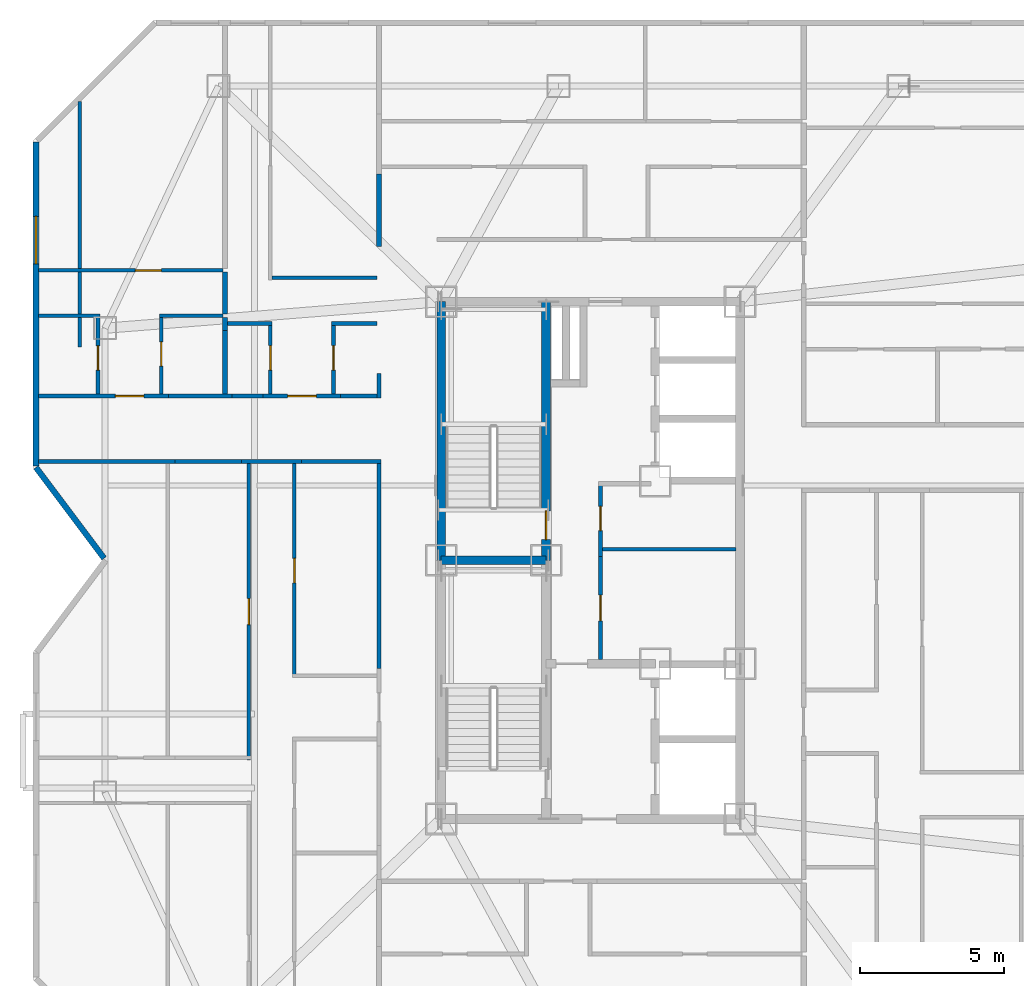
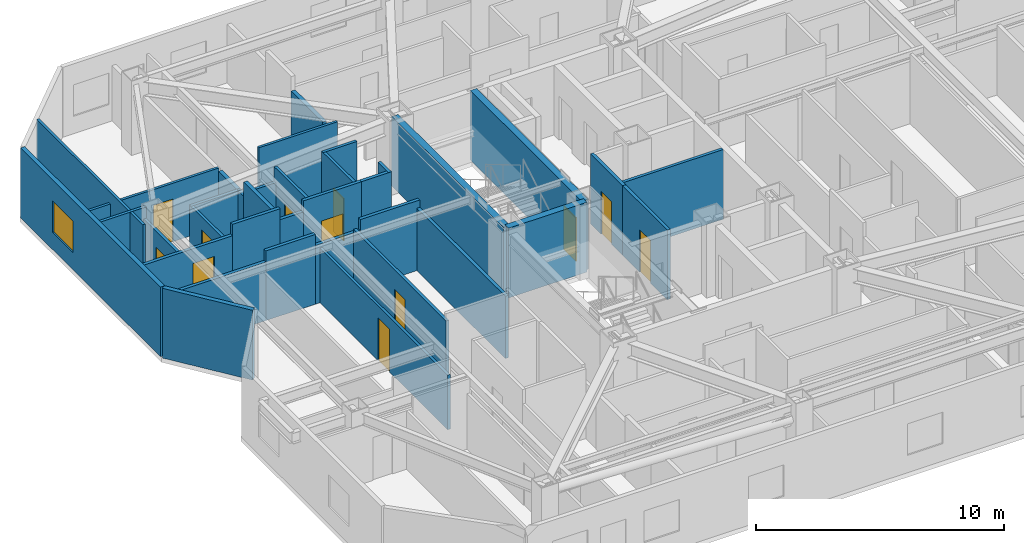
# One storey, part 7 of 12: 36 walls, 12 doors, 1 window, 13 openings.
"""IFC4 building model written with IfcOpenShell, lengths in metres."""

from ifc_helpers import new_model, si_unit, direction, frame, frame_2d, origin, place, context, subcontext, project, spatial, rectangle, extrude, material, layer, layer_set, type_object, element, fill, save


model = new_model("IFC4")

# Units and contexts
model_context = context("Model", 3, precision=1e-05, world=origin(), true_north=direction((0.0, 1.0)))
body_context = subcontext(model_context, "Body", "Model", "MODEL_VIEW")
ifc_project = project(units=[si_unit("LENGTHUNIT", "METRE"), si_unit("AREAUNIT", "SQUARE_METRE"), si_unit("VOLUMEUNIT", "CUBIC_METRE"), si_unit("PLANEANGLEUNIT", "RADIAN"), si_unit("MASSUNIT", "GRAM", prefix="KILO")], contexts=[model_context])

# Site, building, storey
site_placement = place(None, origin())
site = spatial("IfcSite", under=ifc_project, at=site_placement, CompositionType="ELEMENT")
building_placement = place(site_placement, origin())
building = spatial("IfcBuilding", under=site, at=building_placement, Name="Khamvora Tower", CompositionType="ELEMENT")
storey_placement = place(building_placement, frame((0.0, 0.0, 199.699951171875)))
storey = spatial("IfcBuildingStorey", under=building, at=storey_placement, Name="L51", CompositionType="ELEMENT", Elevation=199.699951171875)

# Wall
ifc_material_1 = material(Name="Concrete C50/60", Category="concrete")
ifc_layer_1 = layer(ifc_material_1, 0.300048828125)
ifc_layer_set_1 = layer_set([ifc_layer_1], Name="Concrete C50/60")
wall_type_1 = type_object("IfcWallType", Name="WAL-CORE-300", PredefinedType="SHEAR", material=ifc_layer_set_1)
wall_1_placement = place(storey_placement, frame((29.0, 28.0, 0.0), z_axis=(0.0, 0.0, 1.0), x_axis=(0.0, 1.0, 0.0)))
element("IfcWall", 1, at=wall_1_placement, inside=storey, type_object=wall_type_1, Name="L51 central core west north wall", PredefinedType="SHEAR", context=body_context, shape_type="SweptSolid", body=[
    extrude(rectangle(XDim=9.0, YDim=0.300048828125, at=frame_2d((4.5, 0.0))), origin(), (0.0, 0.0, 1.0), 3.429931640625),
])

# Wall, opening, door
wall_2_placement = place(storey_placement, frame((32.64990234375, 28.0, 0.0), z_axis=(0.0, 0.0, 1.0), x_axis=(0.0, 1.0, 0.0)))
wall_2 = element("IfcWall", 2, at=wall_2_placement, inside=storey, type_object=wall_type_1, Name="L51 central core stair north spine wall", PredefinedType="SHEAR", context=body_context, shape_type="SweptSolid", body=[
    extrude(rectangle(XDim=9.0, YDim=0.300048828125, at=frame_2d((4.5, 0.0))), origin(), (0.0, 0.0, 1.0), 3.429931640625),
])
opening_1_placement = place(wall_2_placement, frame((0.719970703125, 0.0, 0.0)))
opening_1 = element("IfcOpeningElement", 3, at=opening_1_placement, cuts=wall_2, Name="Opening D-ST1", PredefinedType="OPENING", context=body_context, shape_type="SweptSolid", body=[
    extrude(rectangle(XDim=1.0, YDim=2.14990234375, at=frame_2d((0.5, 1.074951171875))), frame((0.0, 0.159912109375, 0.0), z_axis=(0.0, -1.0, 0.0), x_axis=(1.0, 0.0, 0.0)), (0.0, 0.0, 1.0), 0.320068359375),
])
ifc_material_2 = material(Name="Powder-Coated Steel and Hardwood Leaf", Category="steel")
door_type_1 = type_object("IfcDoorType", Name="DOR-STAIR-1000", OperationType="NOTDEFINED", PredefinedType="DOOR", material=ifc_material_2)
door_1_placement = place(opening_1_placement, origin())
door_1 = element("IfcDoor", 4, at=door_1_placement, inside=storey, type_object=door_type_1, Name="L51 exit stair ST-02 fire door", OperationType="SINGLE_SWING_RIGHT", OverallHeight=2.14990234375, OverallWidth=1.0, PredefinedType="DOOR", context=body_context, shape_type="SweptSolid", body=[
    extrude(rectangle(XDim=1.0, YDim=2.14990234375, at=frame_2d((0.5, 1.074951171875))), frame((0.0, 0.02490234375, 0.0), z_axis=(0.0, -1.0, 0.0), x_axis=(1.0, 0.0, 0.0)), (0.0, 0.0, 1.0), 0.050048828125),
])
fill(opening_1, door_1)

# Wall
wall_3_placement = place(storey_placement, frame((29.0, 28.0, 0.0), z_axis=(0.0, 0.0, 1.0), x_axis=(1.0, 0.0, 0.0)))
element("IfcWall", 5, at=wall_3_placement, inside=storey, type_object=wall_type_1, Name="L51 central core stair cross wall", PredefinedType="SHEAR", context=body_context, shape_type="SweptSolid", body=[
    extrude(rectangle(XDim=3.64990234375, YDim=0.300048828125, at=frame_2d((1.824951171875, 0.0))), origin(), (0.0, 0.0, 1.0), 3.429931640625),
])

# Wall, opening, door
ifc_material_3 = material(Name="Fire-Rated Drywall and Steel Stud", Category="steel")
ifc_layer_2 = layer(ifc_material_3, 0.14990234375)
ifc_layer_set_2 = layer_set([ifc_layer_2], Name="Fire-Rated Drywall and Steel Stud")
wall_type_2 = type_object("IfcWallType", Name="WAL-CORR-150", PredefinedType="STANDARD", material=ifc_layer_set_2)
wall_4_placement = place(storey_placement, frame((34.544921875, 30.72998046875, 0.0), z_axis=(0.0, 0.0, 1.0), x_axis=(0.0, -1.0, 0.0)))
wall_4 = element("IfcWall", 6, at=wall_4_placement, inside=storey, type_object=wall_type_2, Name="L51 interior partition wall 002", PredefinedType="STANDARD", context=body_context, shape_type="SweptSolid", body=[
    extrude(rectangle(XDim=2.593994140625, YDim=0.14990234375, at=frame_2d((1.296875, 0.0))), origin(), (0.0, 0.0, 1.0), 3.429931640625),
])
opening_2_placement = place(wall_4_placement, frame((0.85107421875, 0.0, 0.0)))
opening_2 = element("IfcOpeningElement", 7, at=opening_2_placement, cuts=wall_4, Name="Opening D-WC1", PredefinedType="OPENING", context=body_context, shape_type="SweptSolid", body=[
    extrude(rectangle(XDim=0.85009765625, YDim=2.10009765625, at=frame_2d((0.425048828125, 1.050048828125))), frame((0.0, 0.0849609375, 0.0), z_axis=(0.0, -1.0, 0.0), x_axis=(1.0, 0.0, 0.0)), (0.0, 0.0, 1.0), 0.169921875),
])
door_type_2 = type_object("IfcDoorType", Name="DOR-WET-850", OperationType="NOTDEFINED", PredefinedType="DOOR", material=ifc_material_2)
door_2_placement = place(opening_2_placement, origin())
door_2 = element("IfcDoor", 8, at=door_2_placement, inside=storey, type_object=door_type_2, Name="L51 interior door PHL-CS1", OperationType="SINGLE_SWING_RIGHT", OverallHeight=2.10009765625, OverallWidth=0.85009765625, PredefinedType="DOOR", context=body_context, shape_type="SweptSolid", body=[
    extrude(rectangle(XDim=0.85009765625, YDim=2.10009765625, at=frame_2d((0.425048828125, 1.050048828125))), frame((0.0, 0.02490234375, 0.0), z_axis=(0.0, -1.0, 0.0), x_axis=(1.0, 0.0, 0.0)), (0.0, 0.0, 1.0), 0.050048828125),
])
fill(opening_2, door_2)

wall_5_placement = place(storey_placement, frame((34.544921875, 28.135986328125, 0.0), z_axis=(0.0, 0.0, 1.0), x_axis=(0.0, -1.0, 0.0)))
wall_5 = element("IfcWall", 9, at=wall_5_placement, inside=storey, type_object=wall_type_2, Name="L51 interior partition wall 003", PredefinedType="STANDARD", context=body_context, shape_type="SweptSolid", body=[
    extrude(rectangle(XDim=3.592041015625, YDim=0.14990234375, at=frame_2d((1.7958984375, 0.0))), origin(), (0.0, 0.0, 1.0), 3.429931640625),
])
opening_3_placement = place(wall_5_placement, frame((1.345947265625, 0.0, 0.0)))
opening_3 = element("IfcOpeningElement", 10, at=opening_3_placement, cuts=wall_5, Name="Opening D-RM1", PredefinedType="OPENING", context=body_context, shape_type="SweptSolid", body=[
    extrude(rectangle(XDim=0.89990234375, YDim=2.10009765625, at=frame_2d((0.449951171875, 1.050048828125))), frame((0.0, 0.0849609375, 0.0), z_axis=(0.0, -1.0, 0.0), x_axis=(1.0, 0.0, 0.0)), (0.0, 0.0, 1.0), 0.169921875),
])
door_type_3 = type_object("IfcDoorType", Name="DOR-ROOM-900", OperationType="NOTDEFINED", PredefinedType="DOOR", material=ifc_material_2)
door_3_placement = place(opening_3_placement, origin())
door_3 = element("IfcDoor", 11, at=door_3_placement, inside=storey, type_object=door_type_3, Name="L51 interior door PHL-CS2", OperationType="SINGLE_SWING_LEFT", OverallHeight=2.10009765625, OverallWidth=0.89990234375, PredefinedType="DOOR", context=body_context, shape_type="SweptSolid", body=[
    extrude(rectangle(XDim=0.89990234375, YDim=2.10009765625, at=frame_2d((0.449951171875, 1.050048828125))), frame((0.0, 0.02490234375, 0.0), z_axis=(0.0, -1.0, 0.0), x_axis=(1.0, 0.0, 0.0)), (0.0, 0.0, 1.0), 0.050048828125),
])
fill(opening_3, door_3)

# Walls
wall_6_placement = place(storey_placement, frame((24.138916015625, 31.43505859375, 0.0), z_axis=(0.0, 0.0, 1.0), x_axis=(-1.0, 0.0, 0.0)))
element("IfcWall", 12, at=wall_6_placement, inside=storey, type_object=wall_type_2, Name="L51 interior partition wall 007", PredefinedType="STANDARD", context=body_context, shape_type="SweptSolid", body=[
    extrude(rectangle(XDim=2.077880859375, YDim=0.14990234375, at=frame_2d((1.0390625, 0.0))), origin(), (0.0, 0.0, 1.0), 2.886962890625),
])
wall_7_placement = place(storey_placement, frame((26.8349609375, 24.23291015625, 0.0), z_axis=(0.0, 0.0, 1.0), x_axis=(0.0, 1.0, 0.0)))
element("IfcWall", 13, at=wall_7_placement, inside=storey, type_object=wall_type_2, Name="L51 interior partition wall 009", PredefinedType="STANDARD", context=body_context, shape_type="SweptSolid", body=[
    extrude(rectangle(XDim=7.26708984375, YDim=0.14990234375, at=frame_2d((3.633544921875, 0.0))), origin(), (0.0, 0.0, 1.0), 3.06494140625),
])
wall_8_placement = place(storey_placement, frame((26.89794921875, 31.43505859375, 0.0), z_axis=(0.0, 0.0, 1.0), x_axis=(-1.0, 0.0, 0.0)))
element("IfcWall", 14, at=wall_8_placement, inside=storey, type_object=wall_type_2, Name="L51 interior partition wall 010", PredefinedType="STANDARD", context=body_context, shape_type="SweptSolid", body=[
    extrude(rectangle(XDim=2.759033203125, YDim=0.14990234375, at=frame_2d((1.37939453125, 0.0))), origin(), (0.0, 0.0, 1.0), 3.429931640625),
])
wall_9_placement = place(storey_placement, frame((19.737060546875, 31.43505859375, 0.0), z_axis=(0.0, 0.0, 1.0), x_axis=(-1.0, 0.0, 0.0)))
element("IfcWall", 15, at=wall_9_placement, inside=storey, type_object=wall_type_2, Name="L51 interior partition wall 011", PredefinedType="STANDARD", context=body_context, shape_type="SweptSolid", body=[
    extrude(rectangle(XDim=4.7451171875, YDim=0.14990234375, at=frame_2d((2.37255859375, 0.0))), origin(), (0.0, 0.0, 1.0), 2.8759765625),
])
wall_10_placement = place(storey_placement, frame((22.06103515625, 31.43505859375, 0.0), z_axis=(0.0, 0.0, 1.0), x_axis=(-1.0, 0.0, 0.0)))
element("IfcWall", 16, at=wall_10_placement, inside=storey, type_object=wall_type_2, Name="L51 interior partition wall 012", PredefinedType="STANDARD", context=body_context, shape_type="SweptSolid", body=[
    extrude(rectangle(XDim=2.323974609375, YDim=0.14990234375, at=frame_2d((1.162109375, 0.0))), origin(), (0.0, 0.0, 1.0), 3.429931640625),
])

# Wall, opening, door
wall_11_placement = place(storey_placement, frame((14.991943359375, 33.715087890625, 0.0), z_axis=(0.0, 0.0, 1.0), x_axis=(1.0, 0.0, 0.0)))
wall_11 = element("IfcWall", 17, at=wall_11_placement, inside=storey, type_object=wall_type_2, Name="L51 interior partition wall 013", PredefinedType="STANDARD", context=body_context, shape_type="SweptSolid", body=[
    extrude(rectangle(XDim=4.51708984375, YDim=0.14990234375, at=frame_2d((2.258544921875, 0.0))), origin(), (0.0, 0.0, 1.0), 2.8759765625),
])
opening_4_placement = place(wall_11_placement, frame((2.66796875, 0.0, 0.0)))
opening_4 = element("IfcOpeningElement", 18, at=opening_4_placement, cuts=wall_11, Name="Opening D-U1", PredefinedType="OPENING", context=body_context, shape_type="SweptSolid", body=[
    extrude(rectangle(XDim=1.0, YDim=2.14990234375, at=frame_2d((0.5, 1.074951171875))), frame((0.0, 0.0849609375, 0.0), z_axis=(0.0, -1.0, 0.0), x_axis=(1.0, 0.0, 0.0)), (0.0, 0.0, 1.0), 0.169921875),
])
door_type_4 = type_object("IfcDoorType", Name="DOR-UNIT-1000", OperationType="NOTDEFINED", PredefinedType="DOOR", material=ifc_material_2)
door_4_placement = place(opening_4_placement, origin())
door_4 = element("IfcDoor", 19, at=door_4_placement, inside=storey, type_object=door_type_4, Name="L51 interior door COR-51WBH", OperationType="SINGLE_SWING_LEFT", OverallHeight=2.14990234375, OverallWidth=1.0, PredefinedType="DOOR", context=body_context, shape_type="SweptSolid", body=[
    extrude(rectangle(XDim=1.0, YDim=2.14990234375, at=frame_2d((0.5, 1.074951171875))), frame((0.0, 0.02490234375, 0.0), z_axis=(0.0, -1.0, 0.0), x_axis=(1.0, 0.0, 0.0)), (0.0, 0.0, 1.0), 0.050048828125),
])
fill(opening_4, door_4)

# Wall
wall_12_placement = place(storey_placement, frame((19.509033203125, 33.715087890625, 0.0), z_axis=(0.0, 0.0, 1.0), x_axis=(1.0, 0.0, 0.0)))
element("IfcWall", 20, at=wall_12_placement, inside=storey, type_object=wall_type_2, Name="L51 interior partition wall 014", PredefinedType="STANDARD", context=body_context, shape_type="SweptSolid", body=[
    extrude(rectangle(XDim=2.215087890625, YDim=0.14990234375, at=frame_2d((1.107421875, 0.0))), origin(), (0.0, 0.0, 1.0), 3.429931640625),
])

# Wall, opening, door
wall_13_placement = place(storey_placement, frame((22.805908203125, 33.715087890625, 0.0), z_axis=(0.0, 0.0, 1.0), x_axis=(1.0, 0.0, 0.0)))
wall_13 = element("IfcWall", 21, at=wall_13_placement, inside=storey, type_object=wall_type_2, Name="L51 interior partition wall 015", PredefinedType="STANDARD", context=body_context, shape_type="SweptSolid", body=[
    extrude(rectangle(XDim=2.697998046875, YDim=0.14990234375, at=frame_2d((1.34912109375, 0.0))), origin(), (0.0, 0.0, 1.0), 3.429931640625),
])
opening_5_placement = place(wall_13_placement, frame((0.84912109375, 0.0, 0.0)))
opening_5 = element("IfcOpeningElement", 22, at=opening_5_placement, cuts=wall_13, Name="Opening D-U1", PredefinedType="OPENING", context=body_context, shape_type="SweptSolid", body=[
    extrude(rectangle(XDim=1.0, YDim=2.14990234375, at=frame_2d((0.5, 1.074951171875))), frame((0.0, 0.0849609375, 0.0), z_axis=(0.0, -1.0, 0.0), x_axis=(1.0, 0.0, 0.0)), (0.0, 0.0, 1.0), 0.169921875),
])
door_5_placement = place(opening_5_placement, origin())
door_5 = element("IfcDoor", 23, at=door_5_placement, inside=storey, type_object=door_type_4, Name="L51 interior door COR-51WCH", OperationType="SINGLE_SWING_RIGHT", OverallHeight=2.14990234375, OverallWidth=1.0, PredefinedType="DOOR", context=body_context, shape_type="SweptSolid", body=[
    extrude(rectangle(XDim=1.0, YDim=2.14990234375, at=frame_2d((0.5, 1.074951171875))), frame((0.0, 0.02490234375, 0.0), z_axis=(0.0, -1.0, 0.0), x_axis=(1.0, 0.0, 0.0)), (0.0, 0.0, 1.0), 0.050048828125),
])
fill(opening_5, door_5)

# Walls
wall_14_placement = place(storey_placement, frame((25.50390625, 33.715087890625, 0.0), z_axis=(0.0, 0.0, 1.0), x_axis=(1.0, 0.0, 0.0)))
element("IfcWall", 24, at=wall_14_placement, inside=storey, type_object=wall_type_2, Name="L51 interior partition wall 016", PredefinedType="STANDARD", context=body_context, shape_type="SweptSolid", body=[
    extrude(rectangle(XDim=1.39599609375, YDim=0.14990234375, at=frame_2d((0.697998046875, 0.0))), origin(), (0.0, 0.0, 1.0), 3.429931640625),
])
wall_15_placement = place(storey_placement, frame((26.8349609375, 33.64990234375, 0.0), z_axis=(0.0, 0.0, 1.0), x_axis=(0.0, 1.0, 0.0)))
element("IfcWall", 25, at=wall_15_placement, inside=storey, type_object=wall_type_2, Name="L51 interior partition wall 017", PredefinedType="STANDARD", context=body_context, shape_type="SweptSolid", body=[
    extrude(rectangle(XDim=0.85009765625, YDim=0.14990234375, at=frame_2d((0.425048828125, 0.0))), origin(), (0.0, 0.0, 1.0), 3.429931640625),
])
wall_16_placement = place(storey_placement, frame((21.72412109375, 33.715087890625, 0.0), z_axis=(0.0, 0.0, 1.0), x_axis=(1.0, 0.0, 0.0)))
element("IfcWall", 26, at=wall_16_placement, inside=storey, type_object=wall_type_2, Name="L51 interior partition wall 018", PredefinedType="STANDARD", context=body_context, shape_type="SweptSolid", body=[
    extrude(rectangle(XDim=1.081787109375, YDim=0.14990234375, at=frame_2d((0.541015625, 0.0))), origin(), (0.0, 0.0, 1.0), 2.886962890625),
])
ifc_material_4 = material(Name="Acoustic Double-Stud Fire Wall", Category="gypsum")
ifc_layer_3 = layer(ifc_material_4, 0.179931640625)
ifc_layer_set_3 = layer_set([ifc_layer_3], Name="Acoustic Double-Stud Fire Wall")
wall_type_3 = type_object("IfcWallType", Name="WAL-CORR-180", PredefinedType="STANDARD", material=ifc_layer_set_3)
wall_17_placement = place(storey_placement, frame((21.47509765625, 38.02392578125, 0.0), z_axis=(0.0, 0.0, 1.0), x_axis=(0.0, -1.0, 0.0)))
element("IfcWall", 27, at=wall_17_placement, inside=storey, type_object=wall_type_3, Name="L51 interior partition wall 067", PredefinedType="STANDARD", context=body_context, shape_type="SweptSolid", body=[
    extrude(rectangle(XDim=1.449951171875, YDim=0.179931640625, at=frame_2d((0.72509765625, 0.0))), origin(), (0.0, 0.0, 1.0), 2.72509765625),
])
wall_18_placement = place(storey_placement, frame((21.47509765625, 36.444091796875, 0.0), z_axis=(0.0, 0.0, 1.0), x_axis=(0.0, -1.0, 0.0)))
element("IfcWall", 28, at=wall_18_placement, inside=storey, type_object=wall_type_3, Name="L51 interior partition wall 068", PredefinedType="STANDARD", context=body_context, shape_type="SweptSolid", body=[
    extrude(rectangle(XDim=0.447998046875, YDim=0.179931640625, at=frame_2d((0.22412109375, 0.0))), origin(), (0.0, 0.0, 1.0), 2.72509765625),
])
wall_19_placement = place(storey_placement, frame((21.47509765625, 35.99609375, 0.0), z_axis=(0.0, 0.0, 1.0), x_axis=(0.0, -1.0, 0.0)))
element("IfcWall", 29, at=wall_19_placement, inside=storey, type_object=wall_type_3, Name="L51 interior partition wall 069", PredefinedType="STANDARD", context=body_context, shape_type="SweptSolid", body=[
    extrude(rectangle(XDim=2.214111328125, YDim=0.179931640625, at=frame_2d((1.10693359375, 0.0))), origin(), (0.0, 0.0, 1.0), 3.429931640625),
])
wall_20_placement = place(storey_placement, frame((26.8349609375, 41.446044921875, 0.0), z_axis=(0.0, 0.0, 1.0), x_axis=(0.0, -1.0, 0.0)))
element("IfcWall", 30, at=wall_20_placement, inside=storey, type_object=wall_type_3, Name="L51 interior partition wall 078", PredefinedType="STANDARD", context=body_context, shape_type="SweptSolid", body=[
    extrude(rectangle(XDim=2.530029296875, YDim=0.179931640625, at=frame_2d((1.26513671875, 0.0))), origin(), (0.0, 0.0, 1.0), 2.72509765625),
])
ifc_material_5 = material(Name="Precast concrete C40/50", Category="concrete")
ifc_layer_4 = layer(ifc_material_5, 0.199951171875)
ifc_layer_set_4 = layer_set([ifc_layer_4], Name="Precast concrete C40/50")
wall_type_4 = type_object("IfcWallType", Name="WAL-EXT-200", PredefinedType="STANDARD", material=ifc_layer_set_4)
wall_21_placement = place(storey_placement, frame((17.27294921875, 28.069091796875, 0.0), z_axis=(0.0, 0.0, 1.0), x_axis=(-0.600029630681, 0.799977776132, 0.0)))
element("IfcWall", 31, at=wall_21_placement, inside=storey, type_object=wall_type_4, Name="L51 exterior facade wall 04.1", PredefinedType="STANDARD", context=body_context, shape_type="SweptSolid", body=[
    extrude(rectangle(XDim=3.954833984375, YDim=0.199951171875, at=frame_2d((1.9775390625, 0.0))), origin(), (0.0, 0.0, 1.0), 3.429931640625),
])

# Wall, opening, window
wall_22_placement = place(storey_placement, frame((14.89990234375, 31.283935546875, 0.0), z_axis=(0.0, 0.0, 1.0), x_axis=(0.0, 1.0, 0.0)))
wall_22 = element("IfcWall", 32, at=wall_22_placement, inside=storey, type_object=wall_type_4, Name="L51 exterior facade wall 05.1", PredefinedType="STANDARD", context=body_context, shape_type="SweptSolid", body=[
    extrude(rectangle(XDim=11.275146484375, YDim=0.199951171875, at=frame_2d((5.6376953125, 0.0))), origin(), (0.0, 0.0, 1.0), 3.429931640625),
])
opening_6_placement = place(wall_22_placement, frame((7.032958984375, 0.0, 0.85009765625)))
opening_6 = element("IfcOpeningElement", 33, at=opening_6_placement, cuts=wall_22, Name="Opening WN-06", PredefinedType="OPENING", context=body_context, shape_type="SweptSolid", body=[
    extrude(rectangle(XDim=1.64990234375, YDim=1.550048828125, at=frame_2d((0.824951171875, 0.77490234375))), frame((0.0, 0.10986328125, 0.0), z_axis=(0.0, -1.0, 0.0), x_axis=(1.0, 0.0, 0.0)), (0.0, 0.0, 1.0), 0.219970703125),
])
ifc_material_6 = material(Name="Low-E Laminated Double Glazing", Category="glass")
window_type = type_object("IfcWindowType", Name="WIN-VIS-1650x1550", PartitioningType="SINGLE_PANEL", PredefinedType="WINDOW", material=ifc_material_6)
window_placement = place(opening_6_placement, origin())
window = element("IfcWindow", 34, at=window_placement, inside=storey, type_object=window_type, Name="L51 vision window 05.1.01", OverallHeight=1.550048828125, OverallWidth=1.64990234375, PartitioningType="SINGLE_PANEL", PredefinedType="WINDOW", context=body_context, shape_type="SweptSolid", body=[
    extrude(rectangle(XDim=1.64990234375, YDim=1.550048828125, at=frame_2d((0.824951171875, 0.77490234375))), frame((0.0, 0.030029296875, 0.0), z_axis=(0.0, -1.0, 0.0), x_axis=(1.0, 0.0, 0.0)), (0.0, 0.0, 1.0), 0.06005859375),
])
fill(opening_6, window)

# Wall, opening, door
ifc_material_7 = material(Name="Gypsum Plasterboard Partition", Category="gypsum")
ifc_layer_5 = layer(ifc_material_7, 0.1201171875)
ifc_layer_set_5 = layer_set([ifc_layer_5], Name="Gypsum Plasterboard Partition")
wall_type_5 = type_object("IfcWallType", Name="WAL-PART-120", PredefinedType="PARTITIONING", material=ifc_layer_set_5)
wall_23_placement = place(storey_placement, frame((22.31005859375, 21.06005859375, 0.0), z_axis=(0.0, 0.0, 1.0), x_axis=(0.0, 1.0, 0.0)))
wall_23 = element("IfcWall", 35, at=wall_23_placement, inside=storey, type_object=wall_type_5, Name="L51 interior partition wall 058", PredefinedType="PARTITIONING", context=body_context, shape_type="SweptSolid", body=[
    extrude(rectangle(XDim=10.307861328125, YDim=0.1201171875, at=frame_2d((5.15380859375, 0.0))), origin(), (0.0, 0.0, 1.0), 2.68701171875),
])
opening_7_placement = place(wall_23_placement, frame((4.7041015625, 0.0, 0.0)))
opening_7 = element("IfcOpeningElement", 36, at=opening_7_placement, cuts=wall_23, Name="Opening D-RM1", PredefinedType="OPENING", context=body_context, shape_type="SweptSolid", body=[
    extrude(rectangle(XDim=0.89990234375, YDim=2.10009765625, at=frame_2d((0.449951171875, 1.050048828125))), frame((0.0, 0.070068359375, 0.0), z_axis=(0.0, -1.0, 0.0), x_axis=(1.0, 0.0, 0.0)), (0.0, 0.0, 1.0), 0.14013671875),
])
door_6_placement = place(opening_7_placement, origin())
door_6 = element("IfcDoor", 37, at=door_6_placement, inside=storey, type_object=door_type_3, Name="L51 interior door 51WAH-51WAR4", OperationType="SINGLE_SWING_RIGHT", OverallHeight=2.10009765625, OverallWidth=0.89990234375, PredefinedType="DOOR", context=body_context, shape_type="SweptSolid", body=[
    extrude(rectangle(XDim=0.89990234375, YDim=2.10009765625, at=frame_2d((0.449951171875, 1.050048828125))), frame((0.0, 0.02490234375, 0.0), z_axis=(0.0, -1.0, 0.0), x_axis=(1.0, 0.0, 0.0)), (0.0, 0.0, 1.0), 0.050048828125),
])
fill(opening_7, door_6)

# Wall
wall_24_placement = place(storey_placement, frame((16.425048828125, 43.968994140625, 0.0), z_axis=(0.0, 0.0, 1.0), x_axis=(0.0, -1.0, 0.0)))
element("IfcWall", 38, at=wall_24_placement, inside=storey, type_object=wall_type_5, Name="L51 interior partition wall 065", PredefinedType="PARTITIONING", context=body_context, shape_type="SweptSolid", body=[
    extrude(rectangle(XDim=8.544921875, YDim=0.1201171875, at=frame_2d((4.2724609375, 0.0))), origin(), (0.0, 0.0, 1.0), 3.429931640625),
])

# Wall, opening, door
wall_25_placement = place(storey_placement, frame((14.991943359375, 38.089111328125, 0.0), z_axis=(0.0, 0.0, 1.0), x_axis=(1.0, 0.0, 0.0)))
wall_25 = element("IfcWall", 39, at=wall_25_placement, inside=storey, type_object=wall_type_5, Name="L51 interior partition wall 066", PredefinedType="PARTITIONING", context=body_context, shape_type="SweptSolid", body=[
    extrude(rectangle(XDim=6.41796875, YDim=0.1201171875, at=frame_2d((3.208984375, 0.0))), origin(), (0.0, 0.0, 1.0), 2.8759765625),
])
opening_8_placement = place(wall_25_placement, frame((3.3720703125, 0.0, 0.0)))
opening_8 = element("IfcOpeningElement", 40, at=opening_8_placement, cuts=wall_25, Name="Opening D-RM1", PredefinedType="OPENING", context=body_context, shape_type="SweptSolid", body=[
    extrude(rectangle(XDim=0.89990234375, YDim=2.10009765625, at=frame_2d((0.449951171875, 1.050048828125))), frame((0.0, 0.070068359375, 0.0), z_axis=(0.0, -1.0, 0.0), x_axis=(1.0, 0.0, 0.0)), (0.0, 0.0, 1.0), 0.14013671875),
])
door_7_placement = place(opening_8_placement, origin())
door_7 = element("IfcDoor", 41, at=door_7_placement, inside=storey, type_object=door_type_3, Name="L51 interior door 51WBH-51WBR1", OperationType="SINGLE_SWING_RIGHT", OverallHeight=2.10009765625, OverallWidth=0.89990234375, PredefinedType="DOOR", context=body_context, shape_type="SweptSolid", body=[
    extrude(rectangle(XDim=0.89990234375, YDim=2.10009765625, at=frame_2d((0.449951171875, 1.050048828125))), frame((0.0, 0.02490234375, 0.0), z_axis=(0.0, -1.0, 0.0), x_axis=(1.0, 0.0, 0.0)), (0.0, 0.0, 1.0), 0.050048828125),
])
fill(opening_8, door_7)

# Walls
wall_26_placement = place(storey_placement, frame((23.10888671875, 37.824951171875, 0.0), z_axis=(0.0, 0.0, 1.0), x_axis=(1.0, 0.0, 0.0)))
element("IfcWall", 42, at=wall_26_placement, inside=storey, type_object=wall_type_5, Name="L51 interior partition wall 076", PredefinedType="PARTITIONING", context=body_context, shape_type="SweptSolid", body=[
    extrude(rectangle(XDim=3.6611328125, YDim=0.1201171875, at=frame_2d((1.83056640625, 0.0))), origin(), (0.0, 0.0, 1.0), 3.429931640625),
])
ifc_material_8 = material(Name="Moisture-Resistant Plasterboard Partition", Category="gypsum")
ifc_layer_6 = layer(ifc_material_8, 0.135009765625)
ifc_layer_set_6 = layer_set([ifc_layer_6], Name="Moisture-Resistant Plasterboard Partition")
wall_type_6 = type_object("IfcWallType", Name="WAL-WET-135", PredefinedType="PARTITIONING", material=ifc_layer_set_6)
wall_27_placement = place(storey_placement, frame((39.256103515625, 28.385009765625, 0.0), z_axis=(0.0, 0.0, 1.0), x_axis=(-1.0, 0.0, 0.0)))
element("IfcWall", 43, at=wall_27_placement, inside=storey, type_object=wall_type_6, Name="L51 interior partition wall 004", PredefinedType="PARTITIONING", context=body_context, shape_type="SweptSolid", body=[
    extrude(rectangle(XDim=4.64404296875, YDim=0.135009765625, at=frame_2d((2.322021484375, 0.0))), origin(), (0.0, 0.0, 1.0), 3.429931640625),
])

# Wall, opening, door
wall_28_placement = place(storey_placement, frame((23.889892578125, 31.367919921875, 0.0), z_axis=(0.0, 0.0, 1.0), x_axis=(0.0, -1.0, 0.0)))
wall_28 = element("IfcWall", 44, at=wall_28_placement, inside=storey, type_object=wall_type_6, Name="L51 interior partition wall 051", PredefinedType="PARTITIONING", context=body_context, shape_type="SweptSolid", body=[
    extrude(rectangle(XDim=7.448974609375, YDim=0.135009765625, at=frame_2d((3.724609375, 0.0))), origin(), (0.0, 0.0, 1.0), 3.06494140625),
])
opening_9_placement = place(wall_28_placement, frame((3.300048828125, 0.0, 0.0)))
opening_9 = element("IfcOpeningElement", 45, at=opening_9_placement, cuts=wall_28, Name="Opening D-RM2", PredefinedType="OPENING", context=body_context, shape_type="SweptSolid", body=[
    extrude(rectangle(XDim=0.85009765625, YDim=2.10009765625, at=frame_2d((0.425048828125, 1.050048828125))), frame((0.0, 0.077392578125, 0.0), z_axis=(0.0, -1.0, 0.0), x_axis=(1.0, 0.0, 0.0)), (0.0, 0.0, 1.0), 0.155029296875),
])
door_type_5 = type_object("IfcDoorType", Name="DOR-ROOM-850", OperationType="NOTDEFINED", PredefinedType="DOOR", material=ifc_material_2)
door_8_placement = place(opening_9_placement, origin())
door_8 = element("IfcDoor", 46, at=door_8_placement, inside=storey, type_object=door_type_5, Name="L51 interior door 51WAH-51WAK", OperationType="SINGLE_SWING_LEFT", OverallHeight=2.10009765625, OverallWidth=0.85009765625, PredefinedType="DOOR", context=body_context, shape_type="SweptSolid", body=[
    extrude(rectangle(XDim=0.85009765625, YDim=2.10009765625, at=frame_2d((0.425048828125, 1.050048828125))), frame((0.0, 0.02490234375, 0.0), z_axis=(0.0, -1.0, 0.0), x_axis=(1.0, 0.0, 0.0)), (0.0, 0.0, 1.0), 0.050048828125),
])
fill(opening_9, door_8)

wall_29_placement = place(storey_placement, frame((17.06005859375, 33.781982421875, 0.0), z_axis=(0.0, 0.0, 1.0), x_axis=(0.0, 1.0, 0.0)))
wall_29 = element("IfcWall", 47, at=wall_29_placement, inside=storey, type_object=wall_type_6, Name="L51 interior partition wall 061", PredefinedType="PARTITIONING", context=body_context, shape_type="SweptSolid", body=[
    extrude(rectangle(XDim=2.7919921875, YDim=0.135009765625, at=frame_2d((1.39599609375, 0.0))), origin(), (0.0, 0.0, 1.0), 2.8759765625),
])
opening_10_placement = place(wall_29_placement, frame((0.8310546875, 0.0, 0.0)))
opening_10 = element("IfcOpeningElement", 48, at=opening_10_placement, cuts=wall_29, Name="Opening D-WC1", PredefinedType="OPENING", context=body_context, shape_type="SweptSolid", body=[
    extrude(rectangle(XDim=0.85009765625, YDim=2.10009765625, at=frame_2d((0.425048828125, 1.050048828125))), frame((0.0, 0.077392578125, 0.0), z_axis=(0.0, -1.0, 0.0), x_axis=(1.0, 0.0, 0.0)), (0.0, 0.0, 1.0), 0.155029296875),
])
door_9_placement = place(opening_10_placement, origin())
door_9 = element("IfcDoor", 49, at=door_9_placement, inside=storey, type_object=door_type_2, Name="L51 interior door 51WBH-51WBB", OperationType="SINGLE_SWING_LEFT", OverallHeight=2.10009765625, OverallWidth=0.85009765625, PredefinedType="DOOR", context=body_context, shape_type="SweptSolid", body=[
    extrude(rectangle(XDim=0.85009765625, YDim=2.10009765625, at=frame_2d((0.425048828125, 1.050048828125))), frame((0.0, 0.02490234375, 0.0), z_axis=(0.0, -1.0, 0.0), x_axis=(1.0, 0.0, 0.0)), (0.0, 0.0, 1.0), 0.050048828125),
])
fill(opening_10, door_9)

# Walls
wall_30_placement = place(storey_placement, frame((17.125, 36.509033203125, 0.0), z_axis=(0.0, 0.0, 1.0), x_axis=(-1.0, 0.0, 0.0)))
element("IfcWall", 50, at=wall_30_placement, inside=storey, type_object=wall_type_6, Name="L51 interior partition wall 062", PredefinedType="PARTITIONING", context=body_context, shape_type="SweptSolid", body=[
    extrude(rectangle(XDim=2.133056640625, YDim=0.135009765625, at=frame_2d((1.06640625, 0.0))), origin(), (0.0, 0.0, 1.0), 3.429931640625),
])
wall_31_placement = place(storey_placement, frame((21.409912109375, 36.509033203125, 0.0), z_axis=(0.0, 0.0, 1.0), x_axis=(-1.0, 0.0, 0.0)))
element("IfcWall", 51, at=wall_31_placement, inside=storey, type_object=wall_type_6, Name="L51 interior partition wall 063", PredefinedType="PARTITIONING", context=body_context, shape_type="SweptSolid", body=[
    extrude(rectangle(XDim=2.21484375, YDim=0.135009765625, at=frame_2d((1.107421875, 0.0))), origin(), (0.0, 0.0, 1.0), 2.72509765625),
])

# Wall, opening, door
wall_32_placement = place(storey_placement, frame((19.260009765625, 36.573974609375, 0.0), z_axis=(0.0, 0.0, 1.0), x_axis=(0.0, -1.0, 0.0)))
wall_32 = element("IfcWall", 52, at=wall_32_placement, inside=storey, type_object=wall_type_6, Name="L51 interior partition wall 064", PredefinedType="PARTITIONING", context=body_context, shape_type="SweptSolid", body=[
    extrude(rectangle(XDim=2.7919921875, YDim=0.135009765625, at=frame_2d((1.39599609375, 0.0))), origin(), (0.0, 0.0, 1.0), 2.72509765625),
])
opening_11_placement = place(wall_32_placement, frame((0.970947265625, 0.0, 0.0)))
opening_11 = element("IfcOpeningElement", 53, at=opening_11_placement, cuts=wall_32, Name="Opening D-RM2", PredefinedType="OPENING", context=body_context, shape_type="SweptSolid", body=[
    extrude(rectangle(XDim=0.85009765625, YDim=2.10009765625, at=frame_2d((0.425048828125, 1.050048828125))), frame((0.0, 0.077392578125, 0.0), z_axis=(0.0, -1.0, 0.0), x_axis=(1.0, 0.0, 0.0)), (0.0, 0.0, 1.0), 0.155029296875),
])
door_10_placement = place(opening_11_placement, origin())
door_10 = element("IfcDoor", 54, at=door_10_placement, inside=storey, type_object=door_type_5, Name="L51 interior door 51WBH-51WBK", OperationType="SINGLE_SWING_LEFT", OverallHeight=2.10009765625, OverallWidth=0.85009765625, PredefinedType="DOOR", context=body_context, shape_type="SweptSolid", body=[
    extrude(rectangle(XDim=0.85009765625, YDim=2.10009765625, at=frame_2d((0.425048828125, 1.050048828125))), frame((0.0, 0.02490234375, 0.0), z_axis=(0.0, -1.0, 0.0), x_axis=(1.0, 0.0, 0.0)), (0.0, 0.0, 1.0), 0.050048828125),
])
fill(opening_11, door_10)

# Wall
wall_33_placement = place(storey_placement, frame((26.77001953125, 36.2451171875, 0.0), z_axis=(0.0, 0.0, 1.0), x_axis=(-1.0, 0.0, 0.0)))
element("IfcWall", 55, at=wall_33_placement, inside=storey, type_object=wall_type_6, Name="L51 interior partition wall 071", PredefinedType="PARTITIONING", context=body_context, shape_type="SweptSolid", body=[
    extrude(rectangle(XDim=1.580078125, YDim=0.135009765625, at=frame_2d((0.7900390625, 0.0))), origin(), (0.0, 0.0, 1.0), 3.429931640625),
])

# Wall, opening, door
wall_34_placement = place(storey_placement, frame((25.2548828125, 36.31005859375, 0.0), z_axis=(0.0, 0.0, 1.0), x_axis=(0.0, -1.0, 0.0)))
wall_34 = element("IfcWall", 56, at=wall_34_placement, inside=storey, type_object=wall_type_6, Name="L51 interior partition wall 072", PredefinedType="PARTITIONING", context=body_context, shape_type="SweptSolid", body=[
    extrude(rectangle(XDim=2.528076171875, YDim=0.135009765625, at=frame_2d((1.26416015625, 0.0))), origin(), (0.0, 0.0, 1.0), 3.429931640625),
])
opening_12_placement = place(wall_34_placement, frame((0.839111328125, 0.0, 0.0)))
opening_12 = element("IfcOpeningElement", 57, at=opening_12_placement, cuts=wall_34, Name="Opening D-WC1", PredefinedType="OPENING", context=body_context, shape_type="SweptSolid", body=[
    extrude(rectangle(XDim=0.85009765625, YDim=2.10009765625, at=frame_2d((0.425048828125, 1.050048828125))), frame((0.0, 0.077392578125, 0.0), z_axis=(0.0, -1.0, 0.0), x_axis=(1.0, 0.0, 0.0)), (0.0, 0.0, 1.0), 0.155029296875),
])
door_11_placement = place(opening_12_placement, origin())
door_11 = element("IfcDoor", 58, at=door_11_placement, inside=storey, type_object=door_type_2, Name="L51 interior door 51WCH-51WCB", OperationType="SINGLE_SWING_LEFT", OverallHeight=2.10009765625, OverallWidth=0.85009765625, PredefinedType="DOOR", context=body_context, shape_type="SweptSolid", body=[
    extrude(rectangle(XDim=0.85009765625, YDim=2.10009765625, at=frame_2d((0.425048828125, 1.050048828125))), frame((0.0, 0.02490234375, 0.0), z_axis=(0.0, -1.0, 0.0), x_axis=(1.0, 0.0, 0.0)), (0.0, 0.0, 1.0), 0.050048828125),
])
fill(opening_12, door_11)

wall_35_placement = place(storey_placement, frame((23.054931640625, 33.781982421875, 0.0), z_axis=(0.0, 0.0, 1.0), x_axis=(0.0, 1.0, 0.0)))
wall_35 = element("IfcWall", 59, at=wall_35_placement, inside=storey, type_object=wall_type_6, Name="L51 interior partition wall 073", PredefinedType="PARTITIONING", context=body_context, shape_type="SweptSolid", body=[
    extrude(rectangle(XDim=2.528076171875, YDim=0.135009765625, at=frame_2d((1.26416015625, 0.0))), origin(), (0.0, 0.0, 1.0), 3.429931640625),
])
opening_13_placement = place(wall_35_placement, frame((0.839111328125, 0.0, 0.0)))
opening_13 = element("IfcOpeningElement", 60, at=opening_13_placement, cuts=wall_35, Name="Opening D-RM2", PredefinedType="OPENING", context=body_context, shape_type="SweptSolid", body=[
    extrude(rectangle(XDim=0.85009765625, YDim=2.10009765625, at=frame_2d((0.425048828125, 1.050048828125))), frame((0.0, 0.077392578125, 0.0), z_axis=(0.0, -1.0, 0.0), x_axis=(1.0, 0.0, 0.0)), (0.0, 0.0, 1.0), 0.155029296875),
])
door_12_placement = place(opening_13_placement, origin())
door_12 = element("IfcDoor", 61, at=door_12_placement, inside=storey, type_object=door_type_5, Name="L51 interior door 51WCH-51WCK", OperationType="SINGLE_SWING_RIGHT", OverallHeight=2.10009765625, OverallWidth=0.85009765625, PredefinedType="DOOR", context=body_context, shape_type="SweptSolid", body=[
    extrude(rectangle(XDim=0.85009765625, YDim=2.10009765625, at=frame_2d((0.425048828125, 1.050048828125))), frame((0.0, 0.02490234375, 0.0), z_axis=(0.0, -1.0, 0.0), x_axis=(1.0, 0.0, 0.0)), (0.0, 0.0, 1.0), 0.050048828125),
])
fill(opening_13, door_12)

# Wall
wall_36_placement = place(storey_placement, frame((23.1201171875, 36.2451171875, 0.0), z_axis=(0.0, 0.0, 1.0), x_axis=(-1.0, 0.0, 0.0)))
element("IfcWall", 62, at=wall_36_placement, inside=storey, type_object=wall_type_6, Name="L51 interior partition wall 074", PredefinedType="PARTITIONING", context=body_context, shape_type="SweptSolid", body=[
    extrude(rectangle(XDim=1.563232421875, YDim=0.135009765625, at=frame_2d((0.78173828125, 0.0))), origin(), (0.0, 0.0, 1.0), 2.72509765625),
])

save(model, "model.ifc")
